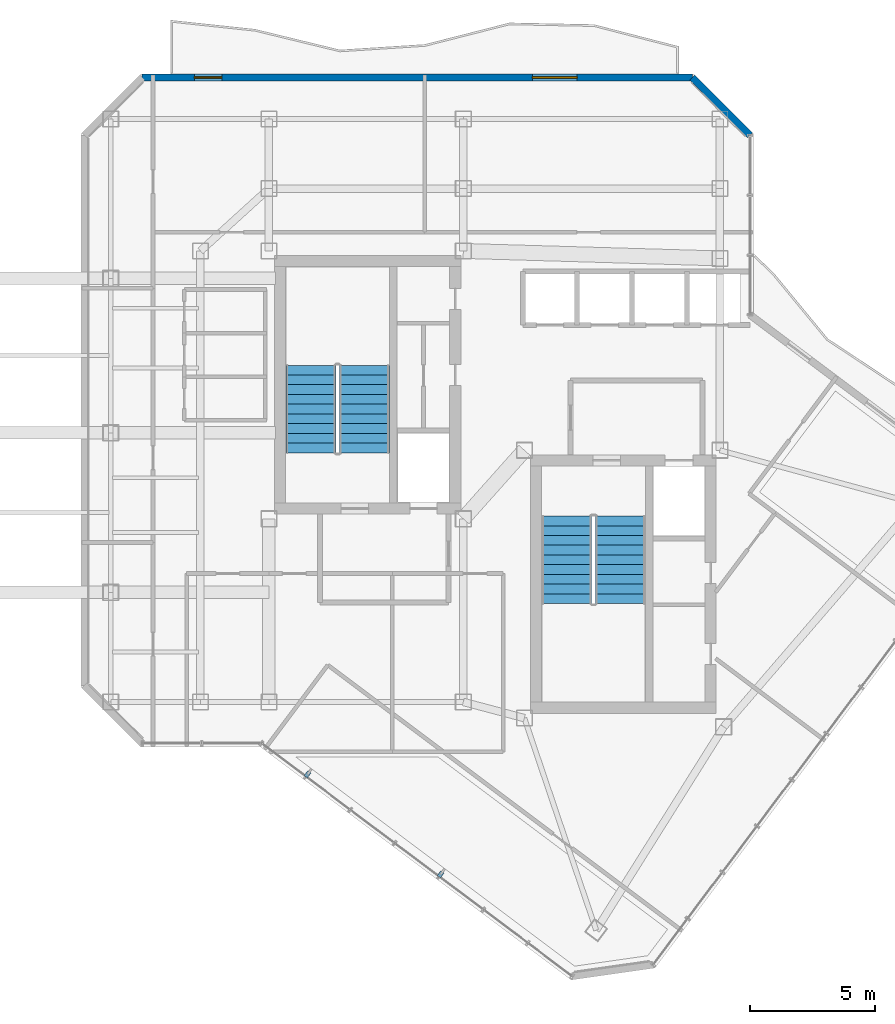
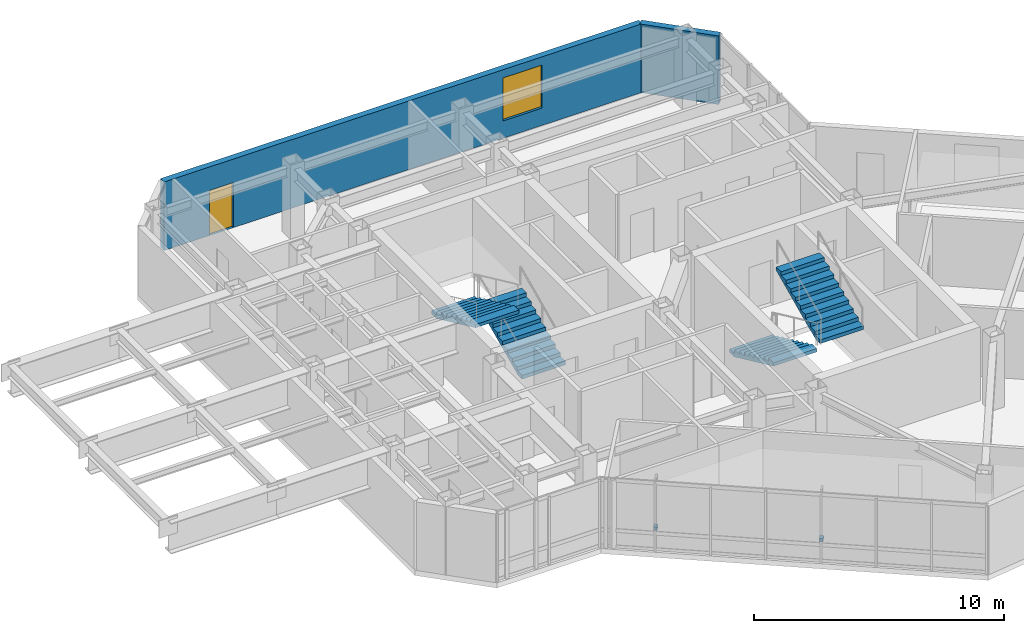
# One storey, part 14 of 17: 4 stair flights, 2 discrete accessories, 2 walls, 1 door, 1 window, 2 openings, 2 elements without a shape of their own.
"""IFC4 building model written with IfcOpenShell, lengths in metres."""

from ifc_helpers import new_model, si_unit, direction, frame, frame_2d, origin, origin_2d, place, context, subcontext, project, spatial, polyline, rectangle, outline, extrude, material, layer, layer_set, type_object, element, fill, aggregate, save


model = new_model("IFC4")

# Units and contexts
model_context = context("Model", 3, precision=1e-05, world=origin(), true_north=direction((0.0, 1.0)))
body_context = subcontext(model_context, "Body", "Model", "MODEL_VIEW")
ifc_project = project(units=[si_unit("LENGTHUNIT", "METRE"), si_unit("AREAUNIT", "SQUARE_METRE"), si_unit("VOLUMEUNIT", "CUBIC_METRE"), si_unit("PLANEANGLEUNIT", "RADIAN"), si_unit("MASSUNIT", "GRAM", prefix="KILO")], contexts=[model_context])

# Site, building, storey
site_placement = place(None, origin())
site = spatial("IfcSite", under=ifc_project, at=site_placement, CompositionType="ELEMENT")
building_placement = place(site_placement, origin())
building = spatial("IfcBuilding", under=site, at=building_placement, Name="Hatsunagi Terrace Concourse", CompositionType="ELEMENT")
storey_placement = place(building_placement, frame((0.0, 0.0, 253.949951171875)))
storey = spatial("IfcBuildingStorey", under=building, at=storey_placement, Name="L67", CompositionType="ELEMENT", Elevation=253.949951171875)

# Wall, openings, door, window
ifc_material_1 = material(Name="Autoclaved Lightweight Concrete and Terracotta Cladding", Category="masonry")
ifc_layer = layer(ifc_material_1, 0.280029296875)
ifc_layer_set = layer_set([ifc_layer], Name="TerracottaSpandrelWall_280")
wall_type = type_object("IfcWallType", Name="TerracottaSpandrelWall_280", PredefinedType="STANDARD", material=ifc_layer_set)
wall_1_placement = place(storey_placement, frame((20.4580078125, 50.260009765625, 0.0), z_axis=(0.0, 0.0, 1.0), x_axis=(1.0, 0.0, 0.0)))
wall_1 = element("IfcWall", 1, at=wall_1_placement, inside=storey, type_object=wall_type, Name="Exterior Spandrel Wall EW-L67-10", PredefinedType="STANDARD", context=body_context, shape_type="SweptSolid", body=[
    extrude(rectangle(XDim=22.083984375, YDim=0.280029296875, at=frame_2d((11.0419921875, 0.0))), origin(), (0.0, 0.0, 1.0), 3.35009765625),
])
opening_1_placement = place(wall_1_placement, frame((2.10009765625, 0.0, 0.0)))
opening_1 = element("IfcOpeningElement", 2, at=opening_1_placement, cuts=wall_1, Name="Opening BD-01", PredefinedType="OPENING", context=body_context, shape_type="SweptSolid", body=[
    extrude(rectangle(XDim=1.10009765625, YDim=2.199951171875, at=frame_2d((0.550048828125, 1.10009765625))), frame((0.0, 0.14990234375, 0.0), z_axis=(0.0, -1.0, 0.0), x_axis=(1.0, 0.0, 0.0)), (0.0, 0.0, 1.0), 0.300048828125),
])
opening_2_placement = place(wall_1_placement, frame((15.6630859375, 0.0, 0.85009765625)))
opening_2 = element("IfcOpeningElement", 3, at=opening_2_placement, cuts=wall_1, Name="Opening WIN-03", PredefinedType="OPENING", context=body_context, shape_type="SweptSolid", body=[
    extrude(rectangle(XDim=1.800048828125, YDim=2.10009765625, at=frame_2d((0.89990234375, 1.050048828125))), frame((0.0, 0.14990234375, 0.0), z_axis=(0.0, -1.0, 0.0), x_axis=(1.0, 0.0, 0.0)), (0.0, 0.0, 1.0), 0.300048828125),
])
ifc_material_2 = material(Name="Galvanised Steel and Laminated Safety Glass", Category="steel")
door_type = type_object("IfcDoorType", Name="BalconyTerraceAccessDoor_1100x2200", OperationType="SINGLE_SWING_LEFT", PredefinedType="DOOR", material=ifc_material_2)
door_placement = place(opening_1_placement, origin())
door = element("IfcDoor", 4, at=door_placement, inside=storey, type_object=door_type, Name="Engawa Balcony Door L67-BN", OperationType="SINGLE_SWING_RIGHT", OverallHeight=2.199951171875, OverallWidth=1.10009765625, PredefinedType="DOOR", context=body_context, shape_type="SweptSolid", body=[
    extrude(rectangle(XDim=1.10009765625, YDim=2.199951171875, at=frame_2d((0.550048828125, 1.10009765625))), frame((0.0, 0.02490234375, 0.0), z_axis=(0.0, -1.0, 0.0), x_axis=(1.0, 0.0, 0.0)), (0.0, 0.0, 1.0), 0.050048828125),
])
fill(opening_1, door)
ifc_material_3 = material(Name="Thermally Broken Aluminium and Low-E Triple Glazing", Category="aluminium")
window_type = type_object("IfcWindowType", Name="OfficeCornerFeatureWindow_1800x2100", PartitioningType="SINGLE_PANEL", PredefinedType="WINDOW", material=ifc_material_3)
window_placement = place(opening_2_placement, origin())
window = element("IfcWindow", 5, at=window_placement, inside=storey, type_object=window_type, Name="Balcony Daylighting Window L67-10-2", OverallHeight=2.10009765625, OverallWidth=1.800048828125, PartitioningType="SINGLE_PANEL", PredefinedType="WINDOW", context=body_context, shape_type="SweptSolid", body=[
    extrude(rectangle(XDim=1.800048828125, YDim=2.10009765625, at=frame_2d((0.89990234375, 1.050048828125))), frame((0.0, 0.030029296875, 0.0), z_axis=(0.0, -1.0, 0.0), x_axis=(1.0, 0.0, 0.0)), (0.0, 0.0, 1.0), 0.06005859375),
])
fill(opening_2, window)

# Wall
wall_2_placement = place(storey_placement, frame((42.5419921875, 50.260009765625, 0.0), z_axis=(0.0, 0.0, 1.0), x_axis=(0.707106781187, -0.707106781187, 0.0)))
element("IfcWall", 6, at=wall_2_placement, inside=storey, type_object=wall_type, Name="Exterior Spandrel Wall EW-L67-11", PredefinedType="STANDARD", context=body_context, shape_type="SweptSolid", body=[
    extrude(rectangle(XDim=3.2783203125, YDim=0.280029296875, at=frame_2d((1.63916015625, 0.0))), origin(), (0.0, 0.0, 1.0), 3.35009765625),
])

# Stair, stair flights
ifc_material_4 = material(Name="Concrete Fc42", Category="concrete")
stair_type = type_object("IfcStairType", Name="DoglegExitStair_Tower2000_20R_180", PredefinedType="HALF_TURN_STAIR", material=ifc_material_4)
stair_1_placement = place(storey_placement, origin())
stair_1 = element("IfcStair", 7, at=stair_1_placement, inside=storey, type_object=stair_type, Name="L67 Core A Protected Exit Stair ST-A", PredefinedType="HALF_TURN_STAIR")
ifc_material_5 = material(Name="Concrete Fc42", Category="concrete")
stair_flight_type = type_object("IfcStairFlightType", Name="DoglegStairFlight_Tower2000_20R_180", PredefinedType="STRAIGHT", material=ifc_material_5)
stair_flight_1_placement = place(storey_placement, frame((29.3798828125, 35.199951171875, 0.0), z_axis=(0.0, 0.0, 1.0), x_axis=(0.0, 1.0, 0.0)))
stair_flight_1 = element("IfcStairFlight", 8, at=stair_flight_1_placement, type_object=stair_flight_type, Name="ST-A flight 1", NumberOfRisers=10, NumberOfTreads=9, PredefinedType="STRAIGHT", RiserHeight=0.18, TreadLength=0.39, context=body_context, shape_type="SweptSolid", body=[
    extrude(outline(polyline([(0.0, 0.0), (0.0, 0.179931640625), (0.389892578125, 0.179931640625), (0.389892578125, 0.360107421875), (0.780029296875, 0.360107421875), (0.780029296875, 0.5400390625), (1.169921875, 0.5400390625), (1.169921875, 0.719970703125), (1.56005859375, 0.719970703125), (1.56005859375, 0.89990234375), (1.949951171875, 0.89990234375), (1.949951171875, 1.080078125), (2.340087890625, 1.080078125), (2.340087890625, 1.260009765625), (2.72998046875, 1.260009765625), (2.72998046875, 1.43994140625), (3.1201171875, 1.43994140625), (3.1201171875, 1.6201171875), (3.510009765625, 1.6201171875), (3.510009765625, 1.800048828125), (3.510009765625, 1.454833984375), (0.357666015625, 0.0), (0.0, 0.0)])), frame((0.0, 1.0, 0.0), z_axis=(0.0, -1.0, 0.0), x_axis=(1.0, 0.0, 0.0)), (0.0, 0.0, 1.0), 2.0),
])
stair_flight_2_placement = place(storey_placement, frame((27.22998046875, 38.7099609375, 1.800048828125), z_axis=(0.0, 0.0, 1.0), x_axis=(0.0, -1.0, 0.0)))
stair_flight_2 = element("IfcStairFlight", 9, at=stair_flight_2_placement, type_object=stair_flight_type, Name="ST-A flight 2", NumberOfRisers=10, NumberOfTreads=9, PredefinedType="STRAIGHT", RiserHeight=0.18, TreadLength=0.39, context=body_context, shape_type="SweptSolid", body=[
    extrude(outline(polyline([(0.0, 0.0), (0.0, 0.179931640625), (0.389892578125, 0.179931640625), (0.389892578125, 0.360107421875), (0.780029296875, 0.360107421875), (0.780029296875, 0.5400390625), (1.169921875, 0.5400390625), (1.169921875, 0.719970703125), (1.56005859375, 0.719970703125), (1.56005859375, 0.89990234375), (1.949951171875, 0.89990234375), (1.949951171875, 1.080078125), (2.340087890625, 1.080078125), (2.340087890625, 1.260009765625), (2.72998046875, 1.260009765625), (2.72998046875, 1.43994140625), (3.1201171875, 1.43994140625), (3.1201171875, 1.6201171875), (3.510009765625, 1.6201171875), (3.510009765625, 1.800048828125), (3.510009765625, 1.454833984375), (0.357666015625, 0.0), (0.0, 0.0)])), frame((0.0, 1.0, 0.0), z_axis=(0.0, -1.0, 0.0), x_axis=(1.0, 0.0, 0.0)), (0.0, 0.0, 1.0), 2.0),
])
aggregate(stair_1, [stair_flight_1, stair_flight_2])

stair_2_placement = place(storey_placement, origin())
stair_2 = element("IfcStair", 10, at=stair_2_placement, inside=storey, type_object=stair_type, Name="L67 Core B Protected Exit Stair ST-B", PredefinedType="HALF_TURN_STAIR")
stair_flight_3_placement = place(storey_placement, frame((37.5, 32.659912109375, 0.0), z_axis=(0.0, 0.0, 1.0), x_axis=(0.0, -1.0, 0.0)))
stair_flight_3 = element("IfcStairFlight", 11, at=stair_flight_3_placement, type_object=stair_flight_type, Name="ST-B flight 1", NumberOfRisers=10, NumberOfTreads=9, PredefinedType="STRAIGHT", RiserHeight=0.18, TreadLength=0.39, context=body_context, shape_type="SweptSolid", body=[
    extrude(outline(polyline([(0.0, 0.0), (0.0, 0.179931640625), (0.389892578125, 0.179931640625), (0.389892578125, 0.360107421875), (0.780029296875, 0.360107421875), (0.780029296875, 0.5400390625), (1.169921875, 0.5400390625), (1.169921875, 0.719970703125), (1.56005859375, 0.719970703125), (1.56005859375, 0.89990234375), (1.949951171875, 0.89990234375), (1.949951171875, 1.080078125), (2.340087890625, 1.080078125), (2.340087890625, 1.260009765625), (2.72998046875, 1.260009765625), (2.72998046875, 1.43994140625), (3.1201171875, 1.43994140625), (3.1201171875, 1.6201171875), (3.510009765625, 1.6201171875), (3.510009765625, 1.800048828125), (3.510009765625, 1.454833984375), (0.357666015625, 0.0), (0.0, 0.0)])), frame((0.0, 1.0, 0.0), z_axis=(0.0, -1.0, 0.0), x_axis=(1.0, 0.0, 0.0)), (0.0, 0.0, 1.0), 2.0),
])
stair_flight_4_placement = place(storey_placement, frame((39.64990234375, 29.14990234375, 1.800048828125), z_axis=(0.0, 0.0, 1.0), x_axis=(0.0, 1.0, 0.0)))
stair_flight_4 = element("IfcStairFlight", 12, at=stair_flight_4_placement, type_object=stair_flight_type, Name="ST-B flight 2", NumberOfRisers=10, NumberOfTreads=9, PredefinedType="STRAIGHT", RiserHeight=0.18, TreadLength=0.39, context=body_context, shape_type="SweptSolid", body=[
    extrude(outline(polyline([(0.0, 0.0), (0.0, 0.179931640625), (0.389892578125, 0.179931640625), (0.389892578125, 0.360107421875), (0.780029296875, 0.360107421875), (0.780029296875, 0.5400390625), (1.169921875, 0.5400390625), (1.169921875, 0.719970703125), (1.56005859375, 0.719970703125), (1.56005859375, 0.89990234375), (1.949951171875, 0.89990234375), (1.949951171875, 1.080078125), (2.340087890625, 1.080078125), (2.340087890625, 1.260009765625), (2.72998046875, 1.260009765625), (2.72998046875, 1.43994140625), (3.1201171875, 1.43994140625), (3.1201171875, 1.6201171875), (3.510009765625, 1.6201171875), (3.510009765625, 1.800048828125), (3.510009765625, 1.454833984375), (0.357666015625, 0.0), (0.0, 0.0)])), frame((0.0, 1.0, 0.0), z_axis=(0.0, -1.0, 0.0), x_axis=(1.0, 0.0, 0.0)), (0.0, 0.0, 1.0), 2.0),
])
aggregate(stair_2, [stair_flight_3, stair_flight_4])

# Discrete accessories
ifc_material_6 = material(Name="Stainless Steel SUS316 Bracket", Category="steel")
discrete_accessory_type = type_object("IfcDiscreteAccessoryType", Name="FacadeScreenSupportBracket_SS", PredefinedType="BRACKET", material=ifc_material_6)
for number, where, z_axis, x_axis, name in (
    (13, (32.43896484375, 18.282958984375, 0.97021484375), (0.0, 0.0, 1.0), (-0.800007305671, 0.599990258982, 0.0), "Terracotta Screen Bracket BRK-01"),
    (14, (27.094970703125, 22.2919921875, 0.97021484375), (0.0, 0.0, 1.0), (-0.800007305671, 0.599990258982, 0.0), "Terracotta Screen Bracket BRK-01"),
):
    element("IfcDiscreteAccessory", number, at=place(storey_placement, frame(where, z_axis=z_axis, x_axis=x_axis)), inside=storey, type_object=discrete_accessory_type, Name=name, PredefinedType="BRACKET", context=body_context, shape_type="SweptSolid", body=[
        extrude(rectangle(XDim=0.159912109375, YDim=0.239990234375, at=origin_2d()), origin(), (0.0, 0.0, 1.0), 0.159912109375),
    ])

save(model, "model.ifc")
